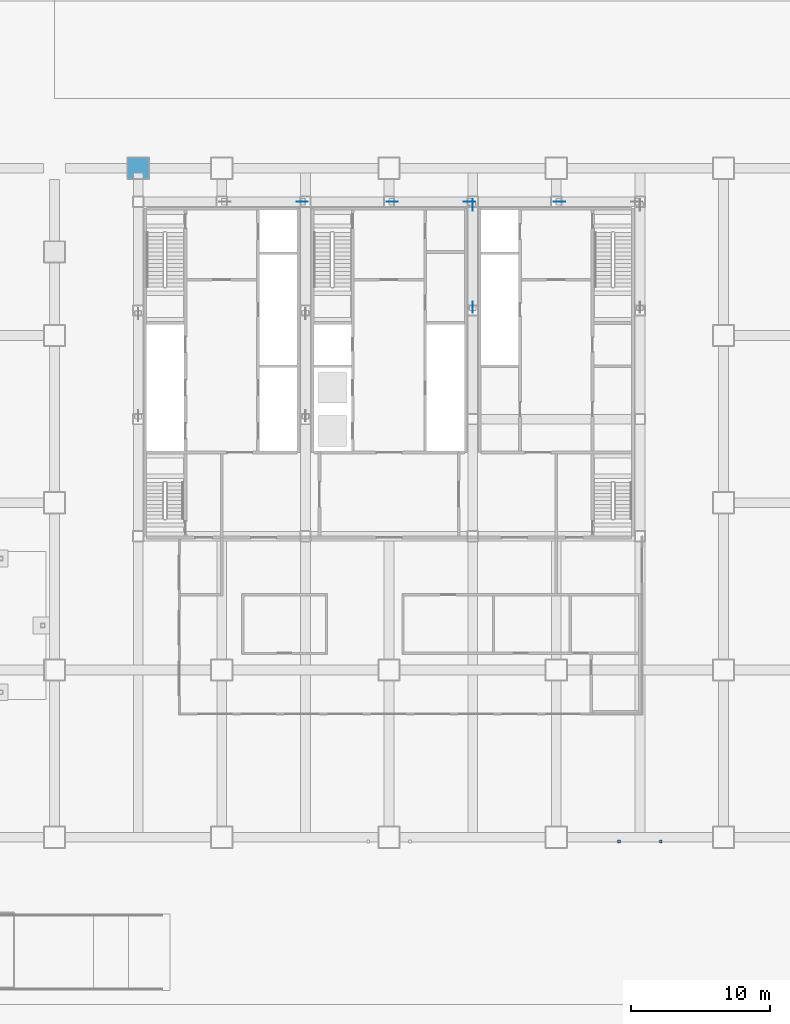
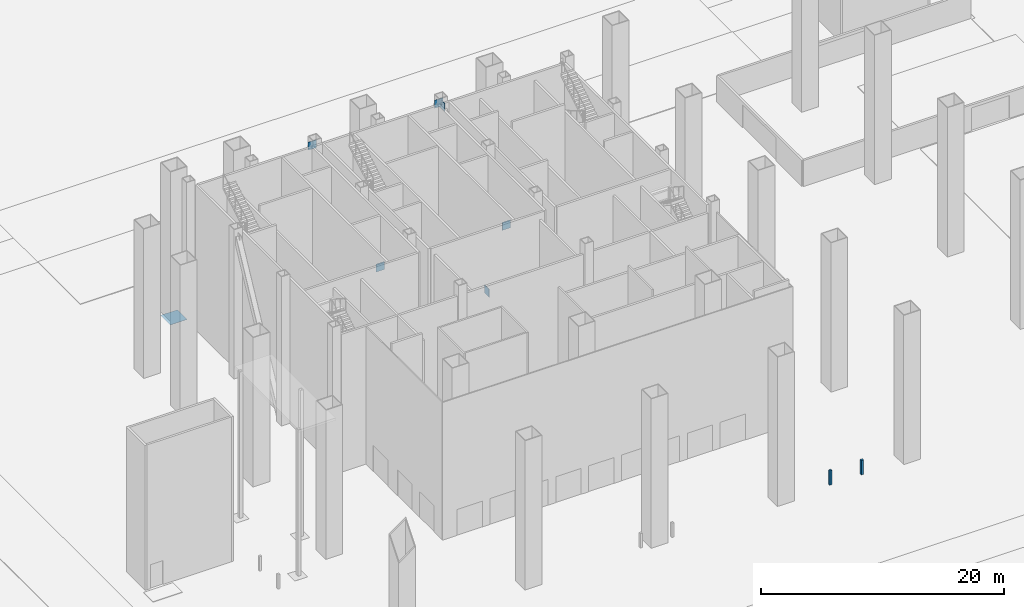
# One storey, part 14 of 22: 9 discrete accessories.
"""IFC4 building model written with IfcOpenShell, lengths in metres."""

from ifc_helpers import new_model, si_unit, direction, frame, origin, origin_2d, place, context, subcontext, project, spatial, rectangle, extrude, material, layer, layer_set, type_object, element, save


model = new_model("IFC4")

# Units and contexts
model_context = context("Model", 3, precision=1e-05, world=origin(), true_north=direction((0.0, 1.0)))
body_context = subcontext(model_context, "Body", "Model", "MODEL_VIEW")
ifc_project = project(units=[si_unit("LENGTHUNIT", "METRE"), si_unit("AREAUNIT", "SQUARE_METRE"), si_unit("VOLUMEUNIT", "CUBIC_METRE"), si_unit("PLANEANGLEUNIT", "RADIAN"), si_unit("MASSUNIT", "GRAM", prefix="KILO")], contexts=[model_context])

# Site, building, storey
site_placement = place(None, origin())
site = spatial("IfcSite", under=ifc_project, at=site_placement, CompositionType="ELEMENT")
building_placement = place(site_placement, origin())
building = spatial("IfcBuilding", under=site, at=building_placement, Name="Sorahane Residences", CompositionType="ELEMENT")
storey_placement = place(building_placement, origin())
storey = spatial("IfcBuildingStorey", under=building, at=storey_placement, Name="L00", CompositionType="ELEMENT", Elevation=0.0)

# Discrete accessories
ifc_material_1 = material(Name="Steel Q420GJ", Category="steel")
ifc_layer_1 = layer(ifc_material_1, 0.02001953125)
ifc_layer_set_1 = layer_set([ifc_layer_1], Name="End plate Steel Q420GJ 1600x1600x20")
discrete_accessory_type_1 = type_object("IfcDiscreteAccessoryType", Name="End plate Steel Q420GJ 1600x1600x20", PredefinedType="USERDEFINED", material=ifc_layer_set_1)
discrete_accessory_placement = place(storey_placement, frame((6.0, 48.0, -0.380126953125), z_axis=(0.0, 0.0, 1.0), x_axis=(1.0, 0.0, 0.0)))
element("IfcDiscreteAccessory", 1, at=discrete_accessory_placement, inside=storey, type_object=discrete_accessory_type_1, Name="End plate L00", ObjectType="END PLATE", PredefinedType="USERDEFINED", context=body_context, shape_type="SweptSolid", body=[
    extrude(rectangle(XDim=1.60009765625, YDim=1.60009765625, at=origin_2d()), origin(), (0.0, 0.0, 1.0), 0.02001953125),
])
ifc_material_2 = material(Name="Steel Q355B", Category="steel")
discrete_accessory_type_2 = type_object("IfcDiscreteAccessoryType", Name="Flood barrier post 1500 Steel Q355B", PredefinedType="USERDEFINED", material=ifc_material_2)
for number, where, z_axis, x_axis, name in (
    (2, (40.5, -0.300048828125, 0.06005859375), (0.0, 0.0, 1.0), (1.0, 0.0, 0.0), "Flood barrier post Entrance 3 1"),
    (3, (43.5, -0.300048828125, 0.06005859375), (0.0, 0.0, 1.0), (1.0, 0.0, 0.0), "Flood barrier post Entrance 3 2"),
):
    element("IfcDiscreteAccessory", number, at=place(storey_placement, frame(where, z_axis=z_axis, x_axis=x_axis)), inside=storey, type_object=discrete_accessory_type_2, Name=name, ObjectType="Demountable flood barrier post", PredefinedType="USERDEFINED", context=body_context, shape_type="SweptSolid", body=[
        extrude(rectangle(XDim=0.199951171875, YDim=0.199951171875, at=origin_2d()), origin(), (0.0, 0.0, 1.0), 1.43994140625),
    ])
ifc_material_3 = material(Name="Steel Q355B", Category="steel")
ifc_layer_2 = layer(ifc_material_3, 0.02490234375)
ifc_layer_set_2 = layer_set([ifc_layer_2], Name="Node plate Steel Q355B 25")
discrete_accessory_type_3 = type_object("IfcDiscreteAccessoryType", Name="Node plate Steel Q355B 25", PredefinedType="BRACKET", material=ifc_layer_set_2)
for number, where, z_axis, x_axis, name in (
    (4, (30.0, 38.033203125, -0.47412109375), (0.0, 0.0, 1.0), (0.0, 1.0, 0.0), "Node plate L00 br"),
    (5, (30.0, 45.36669921875, 13.77392578125), (0.0, 0.0, 1.0), (0.0, 1.0, 0.0), "Node plate L00 br"),
    (6, (24.224853515625, 45.60009765625, -0.60791015625), (0.0, 0.0, 1.0), (1.0, 0.0, 0.0), "Node plate L00 br"),
    (7, (36.224853515625, 45.60009765625, -0.60791015625), (0.0, 0.0, 1.0), (1.0, 0.0, 0.0), "Node plate L00 br"),
    (8, (17.775146484375, 45.60009765625, 13.908203125), (0.0, 0.0, 1.0), (1.0, 0.0, 0.0), "Node plate L00 br"),
    (9, (29.775146484375, 45.60009765625, 13.908203125), (0.0, 0.0, 1.0), (1.0, 0.0, 0.0), "Node plate L00 br"),
):
    element("IfcDiscreteAccessory", number, at=place(storey_placement, frame(where, z_axis=z_axis, x_axis=x_axis)), inside=storey, type_object=discrete_accessory_type_3, Name=name, PredefinedType="BRACKET", context=body_context, shape_type="SweptSolid", body=[
        extrude(rectangle(XDim=0.800048828125, YDim=0.02490234375, at=origin_2d()), origin(), (0.0, 0.0, 1.0), 0.800048828125),
    ])

save(model, "model.ifc")
